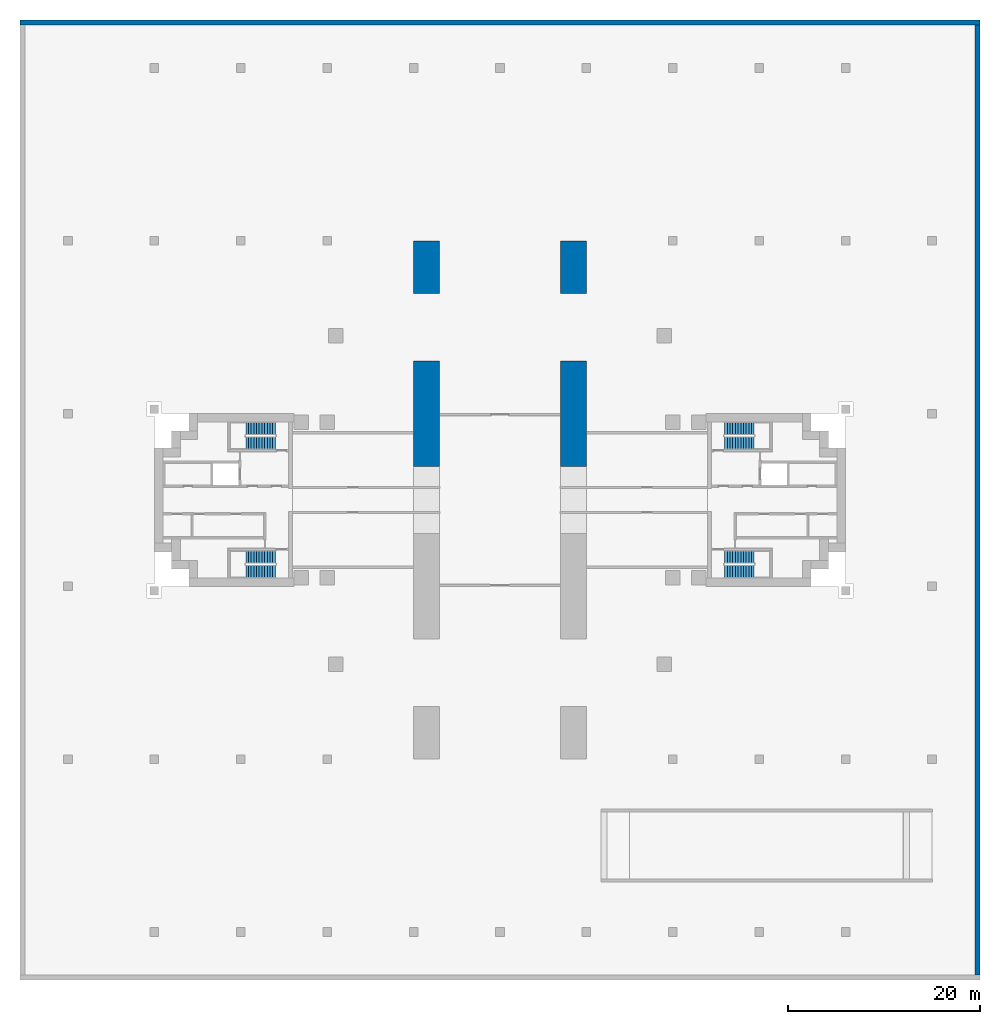
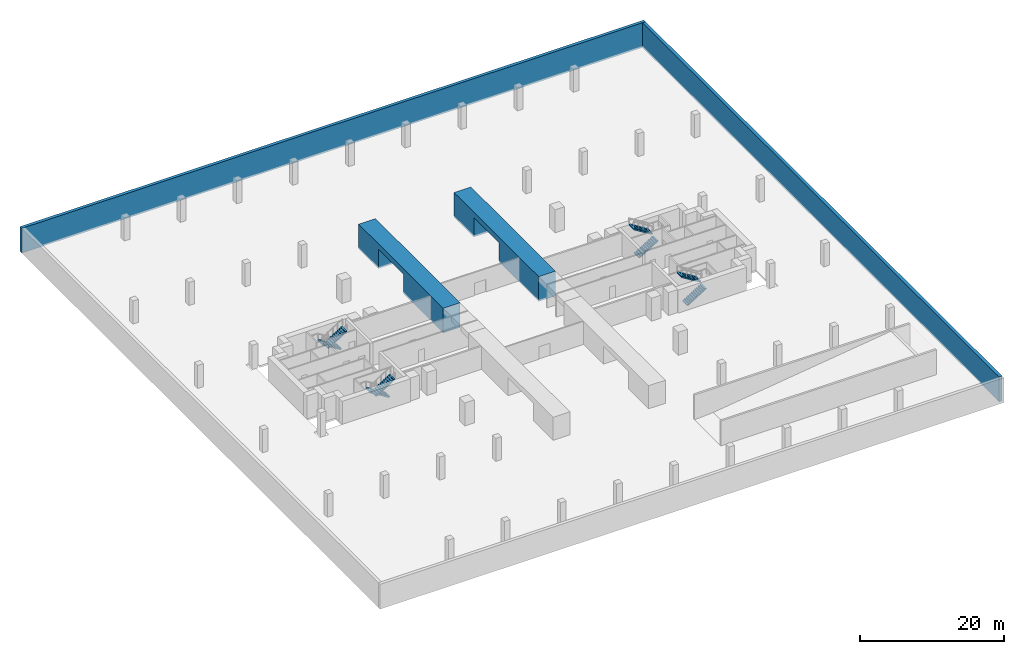
# One storey, part 6 of 8: 8 stair flights, 4 walls, 4 elements without a shape of their own.
"""IFC4 building model written with IfcOpenShell, lengths in metres."""

from ifc_helpers import new_model, si_unit, direction, frame, frame_2d, origin, place, context, subcontext, project, spatial, polyline, rectangle, outline, extrude, material, layer, layer_set, material_profile, profile_set, type_object, element, aggregate, save


model = new_model("IFC4")

# Units and contexts
model_context = context("Model", 3, precision=1e-05, world=origin(), true_north=direction((0.0, 1.0)))
body_context = subcontext(model_context, "Body", "Model", "MODEL_VIEW")
ifc_project = project(units=[si_unit("LENGTHUNIT", "METRE"), si_unit("AREAUNIT", "SQUARE_METRE"), si_unit("VOLUMEUNIT", "CUBIC_METRE"), si_unit("PLANEANGLEUNIT", "RADIAN"), si_unit("MASSUNIT", "GRAM", prefix="KILO")], contexts=[model_context])

# Site, building, storey
site_placement = place(None, origin())
site = spatial("IfcSite", under=ifc_project, at=site_placement, CompositionType="ELEMENT")
building_placement = place(site_placement, origin())
building = spatial("IfcBuilding", under=site, at=building_placement, Name="Perihelion Cross Residences", CompositionType="ELEMENT")
storey_placement = place(building_placement, frame((0.0, 0.0, -8.699951171875)))
storey = spatial("IfcBuildingStorey", under=building, at=storey_placement, Name="B2", CompositionType="ELEMENT", Elevation=-8.699951171875)

# Walls
ifc_material_1 = material(Name="Concrete C40/50", Category="concrete")
ifc_layer = layer(ifc_material_1, 0.5)
ifc_layer_set = layer_set([ifc_layer], Name="Basement retaining wall 500 concrete C40/50")
wall_type_1 = type_object("IfcWallType", Name="Basement retaining wall 500 concrete C40/50", PredefinedType="SOLIDWALL", material=ifc_layer_set)
wall_1_placement = place(storey_placement, frame((-50.0, 49.75, -0.300048828125), z_axis=(0.0, 0.0, 1.0), x_axis=(1.0, 0.0, 0.0)))
element("IfcWall", 1, at=wall_1_placement, inside=storey, type_object=wall_type_1, Name="Wall SW1 B2 retaining north", PredefinedType="SOLIDWALL", context=body_context, shape_type="SweptSolid", body=[
    extrude(rectangle(XDim=100.0, YDim=0.5, at=frame_2d((50.0, 0.0))), origin(), (0.0, 0.0, 1.0), 4.199951171875),
])
wall_2_placement = place(storey_placement, frame((49.75, -49.5, -0.300048828125), z_axis=(0.0, 0.0, 1.0), x_axis=(0.0, 1.0, 0.0)))
element("IfcWall", 2, at=wall_2_placement, inside=storey, type_object=wall_type_1, Name="Wall SW1 B2 retaining east", PredefinedType="SOLIDWALL", context=body_context, shape_type="SweptSolid", body=[
    extrude(rectangle(XDim=99.0, YDim=0.5, at=frame_2d((49.5, 0.0))), origin(), (0.0, 0.0, 1.0), 4.199951171875),
])
ifc_material_2 = material(Name="Concrete C60/75", Category="concrete")
ifc_material_profile = material_profile(ifc_material_2, outline(polyline([(0.0, 0.0), (11.0, 0.0), (11.0, 3.300048828125), (18.0, 3.300048828125), (18.0, 0.0), (23.5, 0.0), (23.5, 4.199951171875), (0.0, 4.199951171875), (0.0, 0.0)])), Name="Pier wall")
ifc_profile_set = profile_set([ifc_material_profile], Name="Concrete C60/75")
wall_type_2 = type_object("IfcWallType", Name="Pier wall 2700 with 1 lane openings 23500 long 4200 high concrete C60/75 hand B", PredefinedType="SOLIDWALL", material=ifc_profile_set)
for number, where, z_axis, x_axis, name in (
    (3, (6.300048828125, 3.5, -0.300048828125), (1.0, 0.0, 0.0), (0.0, 1.0, 0.0), "Shear wall SW6 B2 pier east north"),
    (4, (-9.0, 3.5, -0.300048828125), (1.0, 0.0, 0.0), (0.0, 1.0, 0.0), "Shear wall SW6 B2 pier west north"),
):
    element("IfcWall", number, at=place(storey_placement, frame(where, z_axis=z_axis, x_axis=x_axis)), inside=storey, type_object=wall_type_2, Name=name, PredefinedType="SOLIDWALL", context=body_context, shape_type="SweptSolid", body=[
        extrude(outline(polyline([(0.0, 0.0), (11.0, 0.0), (11.0, 3.300048828125), (18.0, 3.300048828125), (18.0, 0.0), (23.5, 0.0), (23.5, 4.199951171875), (0.0, 4.199951171875), (0.0, 0.0)])), origin(), (0.0, 0.0, 1.0), 2.699951171875),
    ])

# Stair, stair flights
ifc_material_3 = material(Name="Concrete C40/50", Category="concrete")
stair_type = type_object("IfcStairType", Name="Exit stair, half-turn", PredefinedType="HALF_TURN_STAIR", material=ifc_material_3)
stair_1_placement = place(storey_placement, origin())
stair_1 = element("IfcStair", 5, at=stair_1_placement, inside=storey, type_object=stair_type, Name="B2 East core exit stair 1", PredefinedType="HALF_TURN_STAIR")
ifc_material_4 = material(Name="Concrete C40/50", Category="concrete")
stair_flight_type = type_object("IfcStairFlightType", Name="Exit stair flight", PredefinedType="STRAIGHT", material=ifc_material_4)
stair_flight_1_placement = place(storey_placement, frame((23.39990234375, 5.925048828125, 0.0), z_axis=(0.0, 0.0, 1.0), x_axis=(1.0, 0.0, 0.0)))
stair_flight_1 = element("IfcStairFlight", 6, at=stair_flight_1_placement, type_object=stair_flight_type, Name="ST-E1 flight 1", NumberOfRisers=12, NumberOfTreads=11, PredefinedType="STRAIGHT", RiserHeight=0.175, TreadLength=0.28, context=body_context, shape_type="SweptSolid", body=[
    extrude(outline(polyline([(0.0, 0.0), (0.0, 0.175048828125), (0.280029296875, 0.175048828125), (0.280029296875, 0.35009765625), (0.56005859375, 0.35009765625), (0.56005859375, 0.52490234375), (0.840087890625, 0.52490234375), (0.840087890625, 0.699951171875), (1.1201171875, 0.699951171875), (1.1201171875, 0.875), (1.39990234375, 0.875), (1.39990234375, 1.050048828125), (1.679931640625, 1.050048828125), (1.679931640625, 1.22509765625), (1.9599609375, 1.22509765625), (1.9599609375, 1.39990234375), (2.239990234375, 1.39990234375), (2.239990234375, 1.574951171875), (2.52001953125, 1.574951171875), (2.52001953125, 1.75), (2.800048828125, 1.75), (2.800048828125, 1.925048828125), (3.080078125, 1.925048828125), (3.080078125, 2.10009765625), (3.080078125, 1.748291015625), (0.28271484375, 0.0), (0.0, 0.0)])), frame((0.0, 0.675048828125, 0.0), z_axis=(0.0, -1.0, 0.0), x_axis=(1.0, 0.0, 0.0)), (0.0, 0.0, 1.0), 1.35009765625),
])
stair_flight_2_placement = place(storey_placement, frame((26.47998046875, 7.425048828125, 2.099853515625), z_axis=(0.0, 0.0, 1.0), x_axis=(-1.0, 0.0, 0.0)))
stair_flight_2 = element("IfcStairFlight", 7, at=stair_flight_2_placement, type_object=stair_flight_type, Name="ST-E1 flight 2", NumberOfRisers=12, NumberOfTreads=11, PredefinedType="STRAIGHT", RiserHeight=0.175, TreadLength=0.28, context=body_context, shape_type="SweptSolid", body=[
    extrude(outline(polyline([(0.0, 0.0), (0.0, 0.175048828125), (0.280029296875, 0.175048828125), (0.280029296875, 0.35009765625), (0.56005859375, 0.35009765625), (0.56005859375, 0.52490234375), (0.840087890625, 0.52490234375), (0.840087890625, 0.699951171875), (1.1201171875, 0.699951171875), (1.1201171875, 0.875), (1.39990234375, 0.875), (1.39990234375, 1.050048828125), (1.679931640625, 1.050048828125), (1.679931640625, 1.22509765625), (1.9599609375, 1.22509765625), (1.9599609375, 1.39990234375), (2.239990234375, 1.39990234375), (2.239990234375, 1.574951171875), (2.52001953125, 1.574951171875), (2.52001953125, 1.75), (2.800048828125, 1.75), (2.800048828125, 1.925048828125), (3.080078125, 1.925048828125), (3.080078125, 2.10009765625), (3.080078125, 1.748291015625), (0.28271484375, 0.0), (0.0, 0.0)])), frame((0.0, 0.675048828125, 0.0), z_axis=(0.0, -1.0, 0.0), x_axis=(1.0, 0.0, 0.0)), (0.0, 0.0, 1.0), 1.35009765625),
])
aggregate(stair_1, [stair_flight_1, stair_flight_2])

stair_2_placement = place(storey_placement, origin())
stair_2 = element("IfcStair", 8, at=stair_2_placement, inside=storey, type_object=stair_type, Name="B2 East core exit stair 2", PredefinedType="HALF_TURN_STAIR")
stair_flight_3_placement = place(storey_placement, frame((23.39990234375, -7.425048828125, 0.0), z_axis=(0.0, 0.0, 1.0), x_axis=(1.0, 0.0, 0.0)))
stair_flight_3 = element("IfcStairFlight", 9, at=stair_flight_3_placement, type_object=stair_flight_type, Name="ST-E2 flight 1", NumberOfRisers=12, NumberOfTreads=11, PredefinedType="STRAIGHT", RiserHeight=0.175, TreadLength=0.28, context=body_context, shape_type="SweptSolid", body=[
    extrude(outline(polyline([(0.0, 0.0), (0.0, 0.175048828125), (0.280029296875, 0.175048828125), (0.280029296875, 0.35009765625), (0.56005859375, 0.35009765625), (0.56005859375, 0.52490234375), (0.840087890625, 0.52490234375), (0.840087890625, 0.699951171875), (1.1201171875, 0.699951171875), (1.1201171875, 0.875), (1.39990234375, 0.875), (1.39990234375, 1.050048828125), (1.679931640625, 1.050048828125), (1.679931640625, 1.22509765625), (1.9599609375, 1.22509765625), (1.9599609375, 1.39990234375), (2.239990234375, 1.39990234375), (2.239990234375, 1.574951171875), (2.52001953125, 1.574951171875), (2.52001953125, 1.75), (2.800048828125, 1.75), (2.800048828125, 1.925048828125), (3.080078125, 1.925048828125), (3.080078125, 2.10009765625), (3.080078125, 1.748291015625), (0.28271484375, 0.0), (0.0, 0.0)])), frame((0.0, 0.675048828125, 0.0), z_axis=(0.0, -1.0, 0.0), x_axis=(1.0, 0.0, 0.0)), (0.0, 0.0, 1.0), 1.35009765625),
])
stair_flight_4_placement = place(storey_placement, frame((26.47998046875, -5.925048828125, 2.099853515625), z_axis=(0.0, 0.0, 1.0), x_axis=(-1.0, 0.0, 0.0)))
stair_flight_4 = element("IfcStairFlight", 10, at=stair_flight_4_placement, type_object=stair_flight_type, Name="ST-E2 flight 2", NumberOfRisers=12, NumberOfTreads=11, PredefinedType="STRAIGHT", RiserHeight=0.175, TreadLength=0.28, context=body_context, shape_type="SweptSolid", body=[
    extrude(outline(polyline([(0.0, 0.0), (0.0, 0.175048828125), (0.280029296875, 0.175048828125), (0.280029296875, 0.35009765625), (0.56005859375, 0.35009765625), (0.56005859375, 0.52490234375), (0.840087890625, 0.52490234375), (0.840087890625, 0.699951171875), (1.1201171875, 0.699951171875), (1.1201171875, 0.875), (1.39990234375, 0.875), (1.39990234375, 1.050048828125), (1.679931640625, 1.050048828125), (1.679931640625, 1.22509765625), (1.9599609375, 1.22509765625), (1.9599609375, 1.39990234375), (2.239990234375, 1.39990234375), (2.239990234375, 1.574951171875), (2.52001953125, 1.574951171875), (2.52001953125, 1.75), (2.800048828125, 1.75), (2.800048828125, 1.925048828125), (3.080078125, 1.925048828125), (3.080078125, 2.10009765625), (3.080078125, 1.748291015625), (0.28271484375, 0.0), (0.0, 0.0)])), frame((0.0, 0.675048828125, 0.0), z_axis=(0.0, -1.0, 0.0), x_axis=(1.0, 0.0, 0.0)), (0.0, 0.0, 1.0), 1.35009765625),
])
aggregate(stair_2, [stair_flight_3, stair_flight_4])

stair_3_placement = place(storey_placement, origin())
stair_3 = element("IfcStair", 11, at=stair_3_placement, inside=storey, type_object=stair_type, Name="B2 West core exit stair 1", PredefinedType="HALF_TURN_STAIR")
stair_flight_5_placement = place(storey_placement, frame((-23.39990234375, 7.425048828125, 0.0), z_axis=(0.0, 0.0, 1.0), x_axis=(-1.0, 0.0, 0.0)))
stair_flight_5 = element("IfcStairFlight", 12, at=stair_flight_5_placement, type_object=stair_flight_type, Name="ST-W1 flight 1", NumberOfRisers=12, NumberOfTreads=11, PredefinedType="STRAIGHT", RiserHeight=0.175, TreadLength=0.28, context=body_context, shape_type="SweptSolid", body=[
    extrude(outline(polyline([(0.0, 0.0), (0.0, 0.175048828125), (0.280029296875, 0.175048828125), (0.280029296875, 0.35009765625), (0.56005859375, 0.35009765625), (0.56005859375, 0.52490234375), (0.840087890625, 0.52490234375), (0.840087890625, 0.699951171875), (1.1201171875, 0.699951171875), (1.1201171875, 0.875), (1.39990234375, 0.875), (1.39990234375, 1.050048828125), (1.679931640625, 1.050048828125), (1.679931640625, 1.22509765625), (1.9599609375, 1.22509765625), (1.9599609375, 1.39990234375), (2.239990234375, 1.39990234375), (2.239990234375, 1.574951171875), (2.52001953125, 1.574951171875), (2.52001953125, 1.75), (2.800048828125, 1.75), (2.800048828125, 1.925048828125), (3.080078125, 1.925048828125), (3.080078125, 2.10009765625), (3.080078125, 1.748291015625), (0.28271484375, 0.0), (0.0, 0.0)])), frame((0.0, 0.675048828125, 0.0), z_axis=(0.0, -1.0, 0.0), x_axis=(1.0, 0.0, 0.0)), (0.0, 0.0, 1.0), 1.35009765625),
])
stair_flight_6_placement = place(storey_placement, frame((-26.47998046875, 5.925048828125, 2.099853515625), z_axis=(0.0, 0.0, 1.0), x_axis=(1.0, 0.0, 0.0)))
stair_flight_6 = element("IfcStairFlight", 13, at=stair_flight_6_placement, type_object=stair_flight_type, Name="ST-W1 flight 2", NumberOfRisers=12, NumberOfTreads=11, PredefinedType="STRAIGHT", RiserHeight=0.175, TreadLength=0.28, context=body_context, shape_type="SweptSolid", body=[
    extrude(outline(polyline([(0.0, 0.0), (0.0, 0.175048828125), (0.280029296875, 0.175048828125), (0.280029296875, 0.35009765625), (0.56005859375, 0.35009765625), (0.56005859375, 0.52490234375), (0.840087890625, 0.52490234375), (0.840087890625, 0.699951171875), (1.1201171875, 0.699951171875), (1.1201171875, 0.875), (1.39990234375, 0.875), (1.39990234375, 1.050048828125), (1.679931640625, 1.050048828125), (1.679931640625, 1.22509765625), (1.9599609375, 1.22509765625), (1.9599609375, 1.39990234375), (2.239990234375, 1.39990234375), (2.239990234375, 1.574951171875), (2.52001953125, 1.574951171875), (2.52001953125, 1.75), (2.800048828125, 1.75), (2.800048828125, 1.925048828125), (3.080078125, 1.925048828125), (3.080078125, 2.10009765625), (3.080078125, 1.748291015625), (0.28271484375, 0.0), (0.0, 0.0)])), frame((0.0, 0.675048828125, 0.0), z_axis=(0.0, -1.0, 0.0), x_axis=(1.0, 0.0, 0.0)), (0.0, 0.0, 1.0), 1.35009765625),
])
aggregate(stair_3, [stair_flight_5, stair_flight_6])

stair_4_placement = place(storey_placement, origin())
stair_4 = element("IfcStair", 14, at=stair_4_placement, inside=storey, type_object=stair_type, Name="B2 West core exit stair 2", PredefinedType="HALF_TURN_STAIR")
stair_flight_7_placement = place(storey_placement, frame((-23.39990234375, -5.925048828125, 0.0), z_axis=(0.0, 0.0, 1.0), x_axis=(-1.0, 0.0, 0.0)))
stair_flight_7 = element("IfcStairFlight", 15, at=stair_flight_7_placement, type_object=stair_flight_type, Name="ST-W2 flight 1", NumberOfRisers=12, NumberOfTreads=11, PredefinedType="STRAIGHT", RiserHeight=0.175, TreadLength=0.28, context=body_context, shape_type="SweptSolid", body=[
    extrude(outline(polyline([(0.0, 0.0), (0.0, 0.175048828125), (0.280029296875, 0.175048828125), (0.280029296875, 0.35009765625), (0.56005859375, 0.35009765625), (0.56005859375, 0.52490234375), (0.840087890625, 0.52490234375), (0.840087890625, 0.699951171875), (1.1201171875, 0.699951171875), (1.1201171875, 0.875), (1.39990234375, 0.875), (1.39990234375, 1.050048828125), (1.679931640625, 1.050048828125), (1.679931640625, 1.22509765625), (1.9599609375, 1.22509765625), (1.9599609375, 1.39990234375), (2.239990234375, 1.39990234375), (2.239990234375, 1.574951171875), (2.52001953125, 1.574951171875), (2.52001953125, 1.75), (2.800048828125, 1.75), (2.800048828125, 1.925048828125), (3.080078125, 1.925048828125), (3.080078125, 2.10009765625), (3.080078125, 1.748291015625), (0.28271484375, 0.0), (0.0, 0.0)])), frame((0.0, 0.675048828125, 0.0), z_axis=(0.0, -1.0, 0.0), x_axis=(1.0, 0.0, 0.0)), (0.0, 0.0, 1.0), 1.35009765625),
])
stair_flight_8_placement = place(storey_placement, frame((-26.47998046875, -7.425048828125, 2.099853515625), z_axis=(0.0, 0.0, 1.0), x_axis=(1.0, 0.0, 0.0)))
stair_flight_8 = element("IfcStairFlight", 16, at=stair_flight_8_placement, type_object=stair_flight_type, Name="ST-W2 flight 2", NumberOfRisers=12, NumberOfTreads=11, PredefinedType="STRAIGHT", RiserHeight=0.175, TreadLength=0.28, context=body_context, shape_type="SweptSolid", body=[
    extrude(outline(polyline([(0.0, 0.0), (0.0, 0.175048828125), (0.280029296875, 0.175048828125), (0.280029296875, 0.35009765625), (0.56005859375, 0.35009765625), (0.56005859375, 0.52490234375), (0.840087890625, 0.52490234375), (0.840087890625, 0.699951171875), (1.1201171875, 0.699951171875), (1.1201171875, 0.875), (1.39990234375, 0.875), (1.39990234375, 1.050048828125), (1.679931640625, 1.050048828125), (1.679931640625, 1.22509765625), (1.9599609375, 1.22509765625), (1.9599609375, 1.39990234375), (2.239990234375, 1.39990234375), (2.239990234375, 1.574951171875), (2.52001953125, 1.574951171875), (2.52001953125, 1.75), (2.800048828125, 1.75), (2.800048828125, 1.925048828125), (3.080078125, 1.925048828125), (3.080078125, 2.10009765625), (3.080078125, 1.748291015625), (0.28271484375, 0.0), (0.0, 0.0)])), frame((0.0, 0.675048828125, 0.0), z_axis=(0.0, -1.0, 0.0), x_axis=(1.0, 0.0, 0.0)), (0.0, 0.0, 1.0), 1.35009765625),
])
aggregate(stair_4, [stair_flight_7, stair_flight_8])

save(model, "model.ifc")
